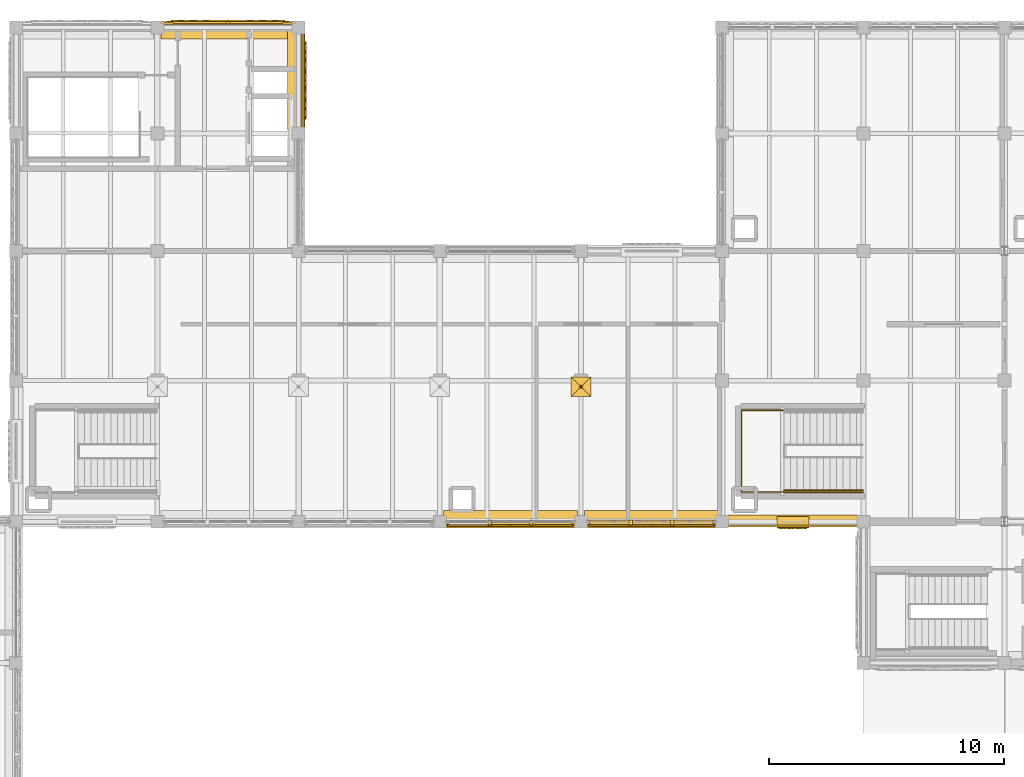
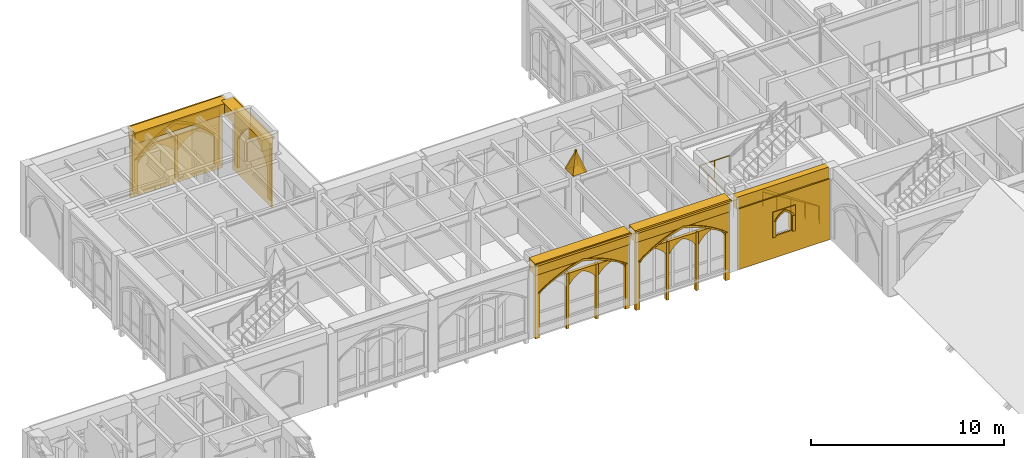
# One storey, part 92 of 108: 38 coverings, 3 railings.
"""IFC4 building model written with IfcOpenShell, lengths in metres."""

from ifc_helpers import new_model, si_unit, direction, frame, origin, origin_2d, place, context, subcontext, project, spatial, polyline, rectangle, circle, outline, extrude, material, type_object, element, save


model = new_model("IFC4")

# Units and contexts
model_context = context("Model", 3, precision=1e-05, world=origin(), true_north=direction((0.0, 1.0)))
body_context = subcontext(model_context, "Body", "Model", "MODEL_VIEW")
ifc_project = project(units=[si_unit("LENGTHUNIT", "METRE"), si_unit("AREAUNIT", "SQUARE_METRE"), si_unit("VOLUMEUNIT", "CUBIC_METRE"), si_unit("PLANEANGLEUNIT", "RADIAN"), si_unit("MASSUNIT", "GRAM", prefix="KILO")], contexts=[model_context])

# Site, building, storey
site_placement = place(None, origin())
site = spatial("IfcSite", under=ifc_project, at=site_placement, CompositionType="ELEMENT")
building_placement = place(site_placement, origin())
building = spatial("IfcBuilding", under=site, at=building_placement, Name="Cumevento Cable Car Station", CompositionType="ELEMENT")
storey_placement = place(building_placement, frame((0.0, 0.0, 13.5)))
storey = spatial("IfcBuildingStorey", under=building, at=storey_placement, Name="L04", CompositionType="ELEMENT", Elevation=13.5)

# Railings
ifc_material_1 = material(Name="Painted Galvanised Architectural Steel", Category="steel")
railing_type_1 = type_object("IfcRailingType", Name="Stair Guardrail GR-S115", PredefinedType="GUARDRAIL", material=ifc_material_1)
railing_1_placement = place(storey_placement, frame((54.6201171875, 46.260009765625, 2.25)))
element("IfcRailing", 1, at=railing_1_placement, inside=storey, type_object=railing_type_1, Name="Stair Half-Landing Guardrail ST-13", PredefinedType="GUARDRAIL", context=body_context, shape_type="SweptSolid", body=[
    extrude(circle(Radius=0.02392578125, at=origin_2d()), frame((0.0, 0.0, 1.1259765625), z_axis=(-1.0, 0.0, 0.0), x_axis=(0.0, -1.0, 0.0)), (0.0, 0.0, 1.0), 1.800048828125),
    extrude(circle(Radius=0.02392578125, at=origin_2d()), frame((-1.800048828125, 0.0, 1.1259765625), z_axis=(0.0, 1.0, 0.0), x_axis=(-1.0, 0.0, 0.0)), (0.0, 0.0, 1.0), 3.47998046875),
    extrude(circle(Radius=0.02392578125, at=origin_2d()), frame((-1.800048828125, 3.47998046875, 1.1259765625), z_axis=(1.0, 0.0, 0.0), x_axis=(0.0, 1.0, 0.0)), (0.0, 0.0, 1.0), 1.800048828125),
    extrude(circle(Radius=0.02001953125, at=origin_2d()), origin(), (0.0, 0.0, 1.0), 1.101806640625),
    extrude(circle(Radius=0.02001953125, at=origin_2d()), frame((-0.89990234375, 0.0, 0.0)), (0.0, 0.0, 1.0), 1.101806640625),
    extrude(circle(Radius=0.02001953125, at=origin_2d()), frame((-1.800048828125, 0.0, 0.0)), (0.0, 0.0, 1.0), 1.101806640625),
    extrude(circle(Radius=0.02001953125, at=origin_2d()), frame((-1.800048828125, 0.8701171875, 0.0)), (0.0, 0.0, 1.0), 1.101806640625),
    extrude(circle(Radius=0.02001953125, at=origin_2d()), frame((-1.800048828125, 1.739990234375, 0.0)), (0.0, 0.0, 1.0), 1.101806640625),
    extrude(circle(Radius=0.02001953125, at=origin_2d()), frame((-1.800048828125, 2.60986328125, 0.0)), (0.0, 0.0, 1.0), 1.101806640625),
    extrude(circle(Radius=0.02001953125, at=origin_2d()), frame((-1.800048828125, 3.47998046875, 0.0)), (0.0, 0.0, 1.0), 1.101806640625),
    extrude(circle(Radius=0.02001953125, at=origin_2d()), frame((-0.89990234375, 3.47998046875, 0.0)), (0.0, 0.0, 1.0), 1.101806640625),
    extrude(circle(Radius=0.02001953125, at=origin_2d()), frame((0.0, 3.47998046875, 0.0)), (0.0, 0.0, 1.0), 1.101806640625),
])
railing_2_placement = place(storey_placement, frame((57.97998046875, 46.260009765625, 0.0)))
element("IfcRailing", 2, at=railing_2_placement, inside=storey, type_object=railing_type_1, Name="Stair Outer Guardrail ST-13 F1", PredefinedType="GUARDRAIL", context=body_context, shape_type="SweptSolid", body=[
    extrude(circle(Radius=0.02392578125, at=origin_2d()), frame((0.0, 0.0, 1.1259765625), z_axis=(-0.830896709279, 0.0, 0.556426687452), x_axis=(0.0, -1.0, 0.0)), (0.0, 0.0, 1.0), 4.043701171875),
    extrude(circle(Radius=0.02001953125, at=origin_2d()), origin(), (0.0, 0.0, 1.0), 1.101806640625),
    extrude(circle(Radius=0.02001953125, at=origin_2d()), frame((-0.83984375, 0.0, 0.5625)), (0.0, 0.0, 1.0), 1.101806640625),
    extrude(circle(Radius=0.02001953125, at=origin_2d()), frame((-1.679931640625, 0.0, 1.125)), (0.0, 0.0, 1.0), 1.101806640625),
    extrude(circle(Radius=0.02001953125, at=origin_2d()), frame((-2.52001953125, 0.0, 1.6875)), (0.0, 0.0, 1.0), 1.101806640625),
    extrude(circle(Radius=0.02001953125, at=origin_2d()), frame((-3.35986328125, 0.0, 2.25)), (0.0, 0.0, 1.0), 1.101806640625),
])
ifc_material_2 = material(Name="Brushed Stainless Steel Handrail Tube", Category="steel")
railing_type_2 = type_object("IfcRailingType", Name="Stair Handrail HR-090", PredefinedType="HANDRAIL", material=ifc_material_2)
railing_3_placement = place(storey_placement, frame((57.97998046875, 46.340087890625, 0.17626953125)))
element("IfcRailing", 3, at=railing_3_placement, inside=storey, type_object=railing_type_2, Name="Stair Pitch Handrail ST-13 F1", PredefinedType="HANDRAIL", context=body_context, shape_type="SweptSolid", body=[
    extrude(circle(Radius=0.02099609375, at=origin_2d()), frame((0.0, 0.0, 0.87890625), z_axis=(-0.850606129759, 0.0, 0.525803396734), x_axis=(0.0, -1.0, 0.0)), (0.0, 0.0, 1.0), 3.949951171875),
    extrude(circle(Radius=0.01611328125, at=origin_2d()), origin(), (0.0, 0.0, 1.0), 0.85791015625),
    extrude(circle(Radius=0.01611328125, at=origin_2d()), frame((-0.83984375, 0.0, 0.519287109375)), (0.0, 0.0, 1.0), 0.85791015625),
    extrude(circle(Radius=0.01611328125, at=origin_2d()), frame((-1.679931640625, 0.0, 1.03857421875)), (0.0, 0.0, 1.0), 0.85791015625),
    extrude(circle(Radius=0.01611328125, at=origin_2d()), frame((-2.52001953125, 0.0, 1.5576171875)), (0.0, 0.0, 1.0), 0.85791015625),
    extrude(circle(Radius=0.01611328125, at=origin_2d()), frame((-3.35986328125, 0.0, 2.076904296875)), (0.0, 0.0, 1.0), 0.85791015625),
])

# Coverings
ifc_material_3 = material(Name="Gnaisse Facoidal Stone Ashlar 85 MPa", Category="masonry")
covering_type = type_object("IfcCoveringType", Name="Gnaisse Ashlar Cladding CV-CL01", PredefinedType="CLADDING", material=ifc_material_3)
for number, where, z_axis, x_axis, name in (
    (4, (45.580078125, 51.159912109375, 4.8701171875), (0.0, 0.951573760476, 0.30742052367), (1.0, 0.0, 0.0), "Gothic Buttress Pinnacle Spire Facet 1 bt:46.0:51.0"),
    (5, (46.419921875, 51.159912109375, 4.8701171875), (0.951573760476, 0.0, 0.30742052367), (0.0, -1.0, 0.0), "Gothic Buttress Pinnacle Spire Facet 2 bt:46.0:51.0"),
    (6, (46.419921875, 50.320068359375, 4.8701171875), (0.0, -0.951573760476, 0.30742052367), (-1.0, 0.0, 0.0), "Gothic Buttress Pinnacle Spire Facet 3 bt:46.0:51.0"),
    (7, (45.580078125, 50.320068359375, 4.8701171875), (-0.951573760476, 0.0, 0.30742052367), (0.0, 1.0, 0.0), "Gothic Buttress Pinnacle Spire Facet 4 bt:46.0:51.0"),
):
    element("IfcCovering", number, at=place(storey_placement, frame(where, z_axis=z_axis, x_axis=x_axis)), inside=storey, type_object=covering_type, Name=name, PredefinedType="CLADDING", context=body_context, shape_type="SweptSolid", body=[
        extrude(outline(polyline([(0.0, 0.0), (0.83984375, 0.0), (0.419921875, -1.3659526370817139), (0.0, 0.0)])), origin(), (0.0, 0.0, -1.0), 0.0849609375),
    ])
covering_1_placement = place(storey_placement, frame((43.0, 45.14990234375, 3.821044921875), z_axis=(0.0, 0.0, 1.0), x_axis=(-1.0, 0.0, 0.0)))
element("IfcCovering", 8, at=covering_1_placement, inside=storey, type_object=covering_type, Name="Gothic Stone Spandrel Stringcourse sc:0719", PredefinedType="CLADDING", context=body_context, shape_type="SweptSolid", body=[
    extrude(rectangle(XDim=5.68994140625, YDim=0.659912109375, at=origin_2d()), origin(), (0.0, 0.0, 1.0), 0.7470703125),
])
covering_2_placement = place(storey_placement, frame((43.0, 44.79248046875, 4.43798828125), z_axis=(0.0, 0.0, 1.0), x_axis=(-1.0, 0.0, 0.0)))
element("IfcCovering", 9, at=covering_2_placement, inside=storey, type_object=covering_type, Name="Gothic Cornice Dripstone Lip sc:0719", PredefinedType="CLADDING", context=body_context, shape_type="SweptSolid", body=[
    extrude(rectangle(XDim=5.72998046875, YDim=0.114990234375, at=origin_2d()), origin(), (0.0, 0.0, 1.0), 0.1298828125),
])
covering_3_placement = place(storey_placement, frame((49.0, 45.14990234375, 3.796875), z_axis=(0.0, 0.0, 1.0), x_axis=(-1.0, 0.0, 0.0)))
element("IfcCovering", 10, at=covering_3_placement, inside=storey, type_object=covering_type, Name="Gothic Stone Spandrel Stringcourse sc:0720", PredefinedType="CLADDING", context=body_context, shape_type="SweptSolid", body=[
    extrude(rectangle(XDim=5.68994140625, YDim=0.659912109375, at=origin_2d()), origin(), (0.0, 0.0, 1.0), 0.7470703125),
])
covering_4_placement = place(storey_placement, frame((49.0, 44.79248046875, 4.4140625), z_axis=(0.0, 0.0, 1.0), x_axis=(-1.0, 0.0, 0.0)))
element("IfcCovering", 11, at=covering_4_placement, inside=storey, type_object=covering_type, Name="Gothic Cornice Dripstone Lip sc:0720", PredefinedType="CLADDING", context=body_context, shape_type="SweptSolid", body=[
    extrude(rectangle(XDim=5.72998046875, YDim=0.114990234375, at=origin_2d()), origin(), (0.0, 0.0, 1.0), 0.1298828125),
])
covering_5_placement = place(storey_placement, frame((31.0, 65.85009765625, 3.783203125), z_axis=(0.0, 0.0, 1.0), x_axis=(1.0, 0.0, 0.0)))
element("IfcCovering", 12, at=covering_5_placement, inside=storey, type_object=covering_type, Name="Gothic Stone Spandrel Stringcourse sc:0727", PredefinedType="CLADDING", context=body_context, shape_type="SweptSolid", body=[
    extrude(rectangle(XDim=5.68994140625, YDim=0.659912109375, at=origin_2d()), origin(), (0.0, 0.0, 1.0), 0.697021484375),
])
covering_6_placement = place(storey_placement, frame((31.0, 66.20751953125, 4.35009765625), z_axis=(0.0, 0.0, 1.0), x_axis=(1.0, 0.0, 0.0)))
element("IfcCovering", 13, at=covering_6_placement, inside=storey, type_object=covering_type, Name="Gothic Cornice Dripstone Lip sc:0727", PredefinedType="CLADDING", context=body_context, shape_type="SweptSolid", body=[
    extrude(rectangle(XDim=5.72998046875, YDim=0.114990234375, at=origin_2d()), origin(), (0.0, 0.0, 1.0), 0.1298828125),
])
covering_7_placement = place(storey_placement, frame((33.85009765625, 63.75, 3.783203125), z_axis=(0.0, 0.0, 1.0), x_axis=(0.0, -1.0, 0.0)))
element("IfcCovering", 14, at=covering_7_placement, inside=storey, type_object=covering_type, Name="Gothic Stone Spandrel Stringcourse sc:0731", PredefinedType="CLADDING", context=body_context, shape_type="SweptSolid", body=[
    extrude(rectangle(XDim=4.18994140625, YDim=0.659912109375, at=origin_2d()), origin(), (0.0, 0.0, 1.0), 0.697021484375),
])
covering_8_placement = place(storey_placement, frame((34.20751953125, 63.75, 4.35009765625), z_axis=(0.0, 0.0, 1.0), x_axis=(0.0, -1.0, 0.0)))
element("IfcCovering", 15, at=covering_8_placement, inside=storey, type_object=covering_type, Name="Gothic Cornice Dripstone Lip sc:0731", PredefinedType="CLADDING", context=body_context, shape_type="SweptSolid", body=[
    extrude(rectangle(XDim=4.22998046875, YDim=0.114990234375, at=origin_2d()), origin(), (0.0, 0.0, 1.0), 0.1298828125),
])
covering_9_placement = place(storey_placement, frame((55.0, 45.090087890625, 3.737060546875), z_axis=(0.0, 0.0, 1.0), x_axis=(-1.0, 0.0, 0.0)))
element("IfcCovering", 16, at=covering_9_placement, inside=storey, type_object=covering_type, Name="Gothic Stone Spandrel Stringcourse sc:0732", PredefinedType="CLADDING", context=body_context, shape_type="SweptSolid", body=[
    extrude(rectangle(XDim=5.510009765625, YDim=0.3798828125, at=origin_2d()), origin(), (0.0, 0.0, 1.0), 0.7470703125),
])
placement_1 = place(storey_placement, frame((45.72509765625, 45.0, -0.219970703125), z_axis=(0.0, 0.0, 1.0), x_axis=(-1.0, 0.0, 0.0)))
element("IfcCovering", 17, at=placement_1, inside=storey, type_object=covering_type, Name="Gothic Ogival Pointed-Arch Stone Spandrel cw_ogival:0158", PredefinedType="CLADDING", context=body_context, shape_type="SweptSolid", body=[
    extrude(outline(polyline([(-0.080078125, 0.0), (-0.080078125, 4.180908203125), (5.530029296875, 4.180908203125), (5.530029296875, 0.0), (5.2900390625, 0.0), (5.2900390625, 2.869384765625), (4.99462890625, 3.06005859375), (4.69091796875, 3.23681640625), (4.37890625, 3.39892578125), (4.059814453125, 3.546142578125), (3.734130859375, 3.67822265625), (3.402587890625, 3.794921875), (3.06591796875, 3.89599609375), (2.72509765625, 3.98095703125), (2.384033203125, 3.89599609375), (2.04736328125, 3.794921875), (1.7158203125, 3.67822265625), (1.39013671875, 3.546142578125), (1.071044921875, 3.39892578125), (0.759033203125, 3.23681640625), (0.455322265625, 3.06005859375), (0.159912109375, 2.869384765625), (0.159912109375, 0.0), (-0.080078125, 0.0)])), frame((0.0, 0.139892578125, 0.0), z_axis=(0.0, -1.0, 0.0), x_axis=(1.0, 0.0, 0.0)), (0.0, 0.0, 1.0), 0.219970703125),
])
covering_11_placement = place(storey_placement, frame((45.72509765625, 45.0, 2.6494140625), z_axis=(0.0, 0.0, 1.0), x_axis=(-1.0, 0.0, 0.0)))
element("IfcCovering", 18, at=covering_11_placement, inside=storey, type_object=covering_type, Name="Gothic Pointed Archivolt Hood Moulding cw_ogival:0158", PredefinedType="CLADDING", context=body_context, shape_type="SweptSolid", body=[
    extrude(outline(polyline([(0.159912109375, 0.0), (0.455322265625, 0.190673828125), (0.759033203125, 0.367431640625), (1.071044921875, 0.529541015625), (1.39013671875, 0.6767578125), (1.7158203125, 0.808837890625), (2.04736328125, 0.925537109375), (2.384033203125, 1.026611328125), (2.72509765625, 1.111572265625), (3.06591796875, 1.026611328125), (3.402587890625, 0.925537109375), (3.734130859375, 0.808837890625), (4.059814453125, 0.6767578125), (4.37890625, 0.529541015625), (4.69091796875, 0.367431640625), (4.99462890625, 0.190673828125), (5.2900390625, 0.0), (5.39990234375, 0.0), (5.095947265625, 0.213623046875), (4.78173828125, 0.41162109375), (4.4580078125, 0.59375), (4.12548828125, 0.75927734375), (3.784912109375, 0.907958984375), (3.4375, 1.03955078125), (3.083740234375, 1.1533203125), (2.72509765625, 1.2490234375), (2.3662109375, 1.1533203125), (2.012451171875, 1.03955078125), (1.6650390625, 0.907958984375), (1.324462890625, 0.75927734375), (0.991943359375, 0.59375), (0.668212890625, 0.41162109375), (0.35400390625, 0.213623046875), (0.050048828125, 0.0), (0.159912109375, 0.0)])), frame((0.0, 0.181884765625, 0.0), z_axis=(0.0, -1.0, 0.0), x_axis=(1.0, 0.0, 0.0)), (0.0, 0.0, 1.0), 0.06689453125),
])
element("IfcCovering", 19, at=placement_1, inside=storey, type_object=covering_type, Name="Gothic Bifora Stone Colonnette cw_ogival:0158 #1", PredefinedType="CLADDING", context=body_context, shape_type="SweptSolid", body=[
    extrude(outline(polyline([(1.77001953125, -0.02001953125), (1.919921875, -0.02001953125), (1.919921875, 3.447509765625), (1.77001953125, 3.447509765625), (1.77001953125, -0.02001953125)])), frame((0.0, 0.1279296875, 0.0), z_axis=(0.0, -1.0, 0.0), x_axis=(1.0, 0.0, 0.0)), (0.0, 0.0, 1.0), 0.205078125),
])
element("IfcCovering", 20, at=placement_1, inside=storey, type_object=covering_type, Name="Gothic Bifora Stone Colonnette cw_ogival:0158 #2", PredefinedType="CLADDING", context=body_context, shape_type="SweptSolid", body=[
    extrude(outline(polyline([(3.530029296875, -0.02001953125), (3.679931640625, -0.02001953125), (3.679931640625, 3.447509765625), (3.530029296875, 3.447509765625), (3.530029296875, -0.02001953125)])), frame((0.0, 0.1279296875, 0.0), z_axis=(0.0, -1.0, 0.0), x_axis=(1.0, 0.0, 0.0)), (0.0, 0.0, 1.0), 0.205078125),
])
for number, where, z_axis, x_axis, name in (
    (21, (45.594970703125, 45.0, 2.469482421875), (0.0, 0.0, 1.0), (-1.0, 0.0, 0.0), "Gothic Ogival Pointed-Arch Stone Spandrel cw_ogival:0158:sub:0"),
    (22, (43.8349609375, 45.0, 2.469482421875), (0.0, 0.0, 1.0), (-1.0, 0.0, 0.0), "Gothic Ogival Pointed-Arch Stone Spandrel cw_ogival:0158:sub:1"),
):
    element("IfcCovering", number, at=place(storey_placement, frame(where, z_axis=z_axis, x_axis=x_axis)), inside=storey, type_object=covering_type, Name=name, PredefinedType="CLADDING", context=body_context, shape_type="SweptSolid", body=[
        extrude(outline(polyline([(-0.02001953125, 0.0), (-0.02001953125, 0.758056640625), (1.68994140625, 0.758056640625), (1.68994140625, 0.0), (1.6298828125, 0.0), (1.527587890625, 0.138916015625), (1.411376953125, 0.2666015625), (1.282470703125, 0.38134765625), (1.142333984375, 0.482177734375), (0.99267578125, 0.568115234375), (0.8349609375, 0.637939453125), (0.67724609375, 0.568115234375), (0.527587890625, 0.482177734375), (0.387451171875, 0.38134765625), (0.258544921875, 0.2666015625), (0.142333984375, 0.138916015625), (0.0400390625, 0.0), (-0.02001953125, 0.0)])), frame((0.0, 0.1240234375, 0.0), z_axis=(0.0, -1.0, 0.0), x_axis=(1.0, 0.0, 0.0)), (0.0, 0.0, 1.0), 0.199951171875),
    ])
placement_2 = place(storey_placement, frame((51.72509765625, 45.0, -0.52001953125), z_axis=(0.0, 0.0, 1.0), x_axis=(-1.0, 0.0, 0.0)))
element("IfcCovering", 23, at=placement_2, inside=storey, type_object=covering_type, Name="Gothic Ogival Pointed-Arch Stone Spandrel cw_ogival:0160", PredefinedType="CLADDING", context=body_context, shape_type="SweptSolid", body=[
    extrude(outline(polyline([(-0.080078125, 0.0), (-0.080078125, 4.45703125), (5.530029296875, 4.45703125), (5.530029296875, 0.0), (5.2900390625, 0.0), (5.2900390625, 3.046142578125), (4.9990234375, 3.253173828125), (4.6982421875, 3.445068359375), (4.387939453125, 3.62158203125), (4.069091796875, 3.7822265625), (3.742431640625, 3.92626953125), (3.4091796875, 4.0537109375), (3.069580078125, 4.1640625), (2.72509765625, 4.257080078125), (2.38037109375, 4.1640625), (2.040771484375, 4.0537109375), (1.70751953125, 3.92626953125), (1.380859375, 3.7822265625), (1.06201171875, 3.62158203125), (0.751708984375, 3.445068359375), (0.450927734375, 3.253173828125), (0.159912109375, 3.046142578125), (0.159912109375, 0.0), (-0.080078125, 0.0)])), frame((0.0, 0.139892578125, 0.0), z_axis=(0.0, -1.0, 0.0), x_axis=(1.0, 0.0, 0.0)), (0.0, 0.0, 1.0), 0.219970703125),
])
covering_15_placement = place(storey_placement, frame((51.72509765625, 45.0, 2.526123046875), z_axis=(0.0, 0.0, 1.0), x_axis=(-1.0, 0.0, 0.0)))
element("IfcCovering", 24, at=covering_15_placement, inside=storey, type_object=covering_type, Name="Gothic Pointed Archivolt Hood Moulding cw_ogival:0160", PredefinedType="CLADDING", context=body_context, shape_type="SweptSolid", body=[
    extrude(outline(polyline([(0.159912109375, 0.0), (0.450927734375, 0.20703125), (0.751708984375, 0.39892578125), (1.06201171875, 0.575439453125), (1.380859375, 0.736083984375), (1.70751953125, 0.880126953125), (2.040771484375, 1.007568359375), (2.38037109375, 1.117919921875), (2.72509765625, 1.2109375), (3.069580078125, 1.117919921875), (3.4091796875, 1.007568359375), (3.742431640625, 0.880126953125), (4.069091796875, 0.736083984375), (4.387939453125, 0.575439453125), (4.6982421875, 0.39892578125), (4.9990234375, 0.20703125), (5.2900390625, 0.0), (5.39990234375, 0.0), (5.1005859375, 0.229736328125), (4.78955078125, 0.443115234375), (4.46728515625, 0.6396484375), (4.135009765625, 0.818359375), (3.793701171875, 0.97900390625), (3.4443359375, 1.121337890625), (3.087646484375, 1.244384765625), (2.72509765625, 1.348388671875), (2.3623046875, 1.244384765625), (2.005615234375, 1.121337890625), (1.65625, 0.97900390625), (1.31494140625, 0.818359375), (0.982666015625, 0.6396484375), (0.660400390625, 0.443115234375), (0.349365234375, 0.229736328125), (0.050048828125, 0.0), (0.159912109375, 0.0)])), frame((0.0, 0.181884765625, 0.0), z_axis=(0.0, -1.0, 0.0), x_axis=(1.0, 0.0, 0.0)), (0.0, 0.0, 1.0), 0.06689453125),
])
element("IfcCovering", 25, at=placement_2, inside=storey, type_object=covering_type, Name="Gothic Bifora Stone Colonnette cw_ogival:0160 #1", PredefinedType="CLADDING", context=body_context, shape_type="SweptSolid", body=[
    extrude(outline(polyline([(1.77001953125, -0.02001953125), (1.919921875, -0.02001953125), (1.919921875, 3.67578125), (1.77001953125, 3.67578125), (1.77001953125, -0.02001953125)])), frame((0.0, 0.1279296875, 0.0), z_axis=(0.0, -1.0, 0.0), x_axis=(1.0, 0.0, 0.0)), (0.0, 0.0, 1.0), 0.205078125),
])
element("IfcCovering", 26, at=placement_2, inside=storey, type_object=covering_type, Name="Gothic Bifora Stone Colonnette cw_ogival:0160 #2", PredefinedType="CLADDING", context=body_context, shape_type="SweptSolid", body=[
    extrude(outline(polyline([(3.530029296875, -0.02001953125), (3.679931640625, -0.02001953125), (3.679931640625, 3.67578125), (3.530029296875, 3.67578125), (3.530029296875, -0.02001953125)])), frame((0.0, 0.1279296875, 0.0), z_axis=(0.0, -1.0, 0.0), x_axis=(1.0, 0.0, 0.0)), (0.0, 0.0, 1.0), 0.205078125),
])
for number, where, z_axis, x_axis, name in (
    (27, (51.594970703125, 45.0, 2.34619140625), (0.0, 0.0, 1.0), (-1.0, 0.0, 0.0), "Gothic Ogival Pointed-Arch Stone Spandrel cw_ogival:0160:sub:0"),
    (28, (49.8349609375, 45.0, 2.34619140625), (0.0, 0.0, 1.0), (-1.0, 0.0, 0.0), "Gothic Ogival Pointed-Arch Stone Spandrel cw_ogival:0160:sub:1"),
    (29, (48.074951171875, 45.0, 2.34619140625), (0.0, 0.0, 1.0), (-1.0, 0.0, 0.0), "Gothic Ogival Pointed-Arch Stone Spandrel cw_ogival:0160:sub:2"),
):
    element("IfcCovering", number, at=place(storey_placement, frame(where, z_axis=z_axis, x_axis=x_axis)), inside=storey, type_object=covering_type, Name=name, PredefinedType="CLADDING", context=body_context, shape_type="SweptSolid", body=[
        extrude(outline(polyline([(-0.02001953125, 0.0), (-0.02001953125, 0.809814453125), (1.68994140625, 0.809814453125), (1.68994140625, 0.0), (1.6298828125, 0.0), (1.53173828125, 0.149169921875), (1.41796875, 0.28662109375), (1.28955078125, 0.410888671875), (1.148681640625, 0.520263671875), (0.996337890625, 0.613525390625), (0.8349609375, 0.689697265625), (0.673583984375, 0.613525390625), (0.521240234375, 0.520263671875), (0.38037109375, 0.410888671875), (0.251953125, 0.28662109375), (0.13818359375, 0.149169921875), (0.0400390625, 0.0), (-0.02001953125, 0.0)])), frame((0.0, 0.1240234375, 0.0), z_axis=(0.0, -1.0, 0.0), x_axis=(1.0, 0.0, 0.0)), (0.0, 0.0, 1.0), 0.199951171875),
    ])
covering_18_placement = place(storey_placement, frame((28.27490234375, 66.0, 0.0), z_axis=(0.0, 0.0, 1.0), x_axis=(1.0, 0.0, 0.0)))
element("IfcCovering", 30, at=covering_18_placement, inside=storey, type_object=covering_type, Name="Exterior Gnaisse Stone Wall Ashlar #274", PredefinedType="CLADDING", context=body_context, shape_type="SweptSolid", body=[
    extrude(outline(polyline([(-0.0400390625, -0.02001953125), (5.489990234375, -0.02001953125), (5.489990234375, 3.863037109375), (-0.0400390625, 3.863037109375), (-0.0400390625, -0.02001953125)])), frame((0.0, 0.222412109375, 0.0), z_axis=(0.0, -1.0, 0.0), x_axis=(1.0, 0.0, 0.0)), (0.0, 0.0, 1.0), 0.0849609375),
])
placement_3 = place(storey_placement, frame((28.455078125, 66.0, 0.300048828125), z_axis=(0.0, 0.0, 1.0), x_axis=(1.0, 0.0, 0.0)))
element("IfcCovering", 31, at=placement_3, inside=storey, type_object=covering_type, Name="Gothic Ogival Pointed-Arch Stone Spandrel blind_ogival:0274", PredefinedType="CLADDING", context=body_context, shape_type="SweptSolid", body=[
    extrude(outline(polyline([(-0.050048828125, 0.0), (-0.050048828125, 3.5830078125), (5.139892578125, 3.5830078125), (5.139892578125, 0.0), (4.830078125, 0.0), (4.830078125, 1.85205078125), (4.558349609375, 2.14013671875), (4.265380859375, 2.406494140625), (3.952880859375, 2.649658203125), (3.62255859375, 2.867919921875), (3.2763671875, 3.060302734375), (2.91650390625, 3.225830078125), (2.544921875, 3.363037109375), (2.173583984375, 3.225830078125), (1.813720703125, 3.060302734375), (1.467529296875, 2.867919921875), (1.13720703125, 2.649658203125), (0.82470703125, 2.406494140625), (0.53173828125, 2.14013671875), (0.260009765625, 1.85205078125), (0.260009765625, 0.0), (-0.050048828125, 0.0)])), frame((0.0, 0.277587890625, 0.0), z_axis=(0.0, -1.0, 0.0), x_axis=(1.0, 0.0, 0.0)), (0.0, 0.0, 1.0), 0.110107421875),
])
covering_20_placement = place(storey_placement, frame((28.455078125, 66.0, 2.152099609375), z_axis=(0.0, 0.0, 1.0), x_axis=(1.0, 0.0, 0.0)))
element("IfcCovering", 32, at=covering_20_placement, inside=storey, type_object=covering_type, Name="Gothic Pointed Archivolt Hood Moulding blind_ogival:0274", PredefinedType="CLADDING", context=body_context, shape_type="SweptSolid", body=[
    extrude(outline(polyline([(0.260009765625, 0.0), (0.53173828125, 0.2880859375), (0.82470703125, 0.554443359375), (1.13720703125, 0.797607421875), (1.467529296875, 1.015869140625), (1.813720703125, 1.208251953125), (2.173583984375, 1.373779296875), (2.544921875, 1.510986328125), (2.91650390625, 1.373779296875), (3.2763671875, 1.208251953125), (3.62255859375, 1.015869140625), (3.952880859375, 0.797607421875), (4.265380859375, 0.554443359375), (4.558349609375, 0.2880859375), (4.830078125, 0.0), (4.950927734375, 0.0), (4.669677734375, 0.31591796875), (4.364013671875, 0.6083984375), (4.0361328125, 0.875732421875), (3.68798828125, 1.1162109375), (3.32177734375, 1.328369140625), (2.940185546875, 1.5107421875), (2.544921875, 1.662109375), (2.14990234375, 1.5107421875), (1.768310546875, 1.328369140625), (1.402099609375, 1.1162109375), (1.053955078125, 0.875732421875), (0.72607421875, 0.6083984375), (0.42041015625, 0.31591796875), (0.138916015625, 0.0), (0.260009765625, 0.0)])), frame((0.0, 0.319580078125, 0.0), z_axis=(0.0, -1.0, 0.0), x_axis=(1.0, 0.0, 0.0)), (0.0, 0.0, 1.0), 0.06689453125),
])
element("IfcCovering", 33, at=placement_3, inside=storey, type_object=covering_type, Name="Gothic Bifora Stone Colonnette blind_ogival:0274 #1", PredefinedType="CLADDING", context=body_context, shape_type="SweptSolid", body=[
    extrude(outline(polyline([(2.469970703125, -0.02001953125), (2.6201171875, -0.02001953125), (2.6201171875, 2.6376953125), (2.469970703125, 2.6376953125), (2.469970703125, -0.02001953125)])), frame((0.0, 0.265380859375, 0.0), z_axis=(0.0, -1.0, 0.0), x_axis=(1.0, 0.0, 0.0)), (0.0, 0.0, 1.0), 0.094970703125),
])
for number, where, z_axis, x_axis, name in (
    (34, (28.68505859375, 66.0, 1.97216796875), (0.0, 0.0, 1.0), (1.0, 0.0, 0.0), "Gothic Ogival Pointed-Arch Stone Spandrel blind_ogival:0274:sub:0"),
    (35, (31.044921875, 66.0, 1.97216796875), (0.0, 0.0, 1.0), (1.0, 0.0, 0.0), "Gothic Ogival Pointed-Arch Stone Spandrel blind_ogival:0274:sub:1"),
):
    element("IfcCovering", number, at=place(storey_placement, frame(where, z_axis=z_axis, x_axis=x_axis)), inside=storey, type_object=covering_type, Name=name, PredefinedType="CLADDING", context=body_context, shape_type="SweptSolid", body=[
        extrude(outline(polyline([(-0.02001953125, 0.0), (-0.02001953125, 0.9658203125), (2.2900390625, 0.9658203125), (2.2900390625, 0.0), (2.22998046875, 0.0), (2.08642578125, 0.184814453125), (1.9248046875, 0.35400390625), (1.7470703125, 0.50634765625), (1.5546875, 0.639892578125), (1.35009765625, 0.75341796875), (1.135009765625, 0.845703125), (0.919921875, 0.75341796875), (0.71533203125, 0.639892578125), (0.52294921875, 0.50634765625), (0.34521484375, 0.35400390625), (0.18359375, 0.184814453125), (0.0400390625, 0.0), (-0.02001953125, 0.0)])), frame((0.0, 0.261474609375, 0.0), z_axis=(0.0, -1.0, 0.0), x_axis=(1.0, 0.0, 0.0)), (0.0, 0.0, 1.0), 0.090087890625),
    ])
covering_22_placement = place(storey_placement, frame((34.0, 65.72509765625, 0.0), z_axis=(0.0, 0.0, 1.0), x_axis=(0.0, -1.0, 0.0)))
element("IfcCovering", 36, at=covering_22_placement, inside=storey, type_object=covering_type, Name="Exterior Gnaisse Stone Wall Ashlar #276", PredefinedType="CLADDING", context=body_context, shape_type="SweptSolid", body=[
    extrude(outline(polyline([(-0.0400390625, -0.02001953125), (3.989990234375, -0.02001953125), (3.989990234375, 3.863037109375), (-0.0400390625, 3.863037109375), (-0.0400390625, -0.02001953125)])), frame((0.0, 0.222412109375, 0.0), z_axis=(0.0, -1.0, 0.0), x_axis=(1.0, 0.0, 0.0)), (0.0, 0.0, 1.0), 0.0849609375),
])
covering_23_placement = place(storey_placement, frame((34.0, 65.544921875, 0.300048828125), z_axis=(0.0, 0.0, 1.0), x_axis=(0.0, -1.0, 0.0)))
element("IfcCovering", 37, at=covering_23_placement, inside=storey, type_object=covering_type, Name="Gothic Ogival Pointed-Arch Stone Spandrel blind_ogival:0276", PredefinedType="CLADDING", context=body_context, shape_type="SweptSolid", body=[
    extrude(outline(polyline([(-0.050048828125, 0.0), (-0.050048828125, 3.5830078125), (3.639892578125, 3.5830078125), (3.639892578125, 0.0), (3.330078125, 0.0), (3.330078125, 1.85205078125), (3.18310546875, 2.1298828125), (3.008544921875, 2.39111328125), (2.808349609375, 2.633056640625), (2.58447265625, 2.853515625), (2.339111328125, 3.050048828125), (2.0751953125, 3.220458984375), (1.794921875, 3.363037109375), (1.514892578125, 3.220458984375), (1.2509765625, 3.050048828125), (1.005615234375, 2.853515625), (0.78173828125, 2.633056640625), (0.58154296875, 2.39111328125), (0.406982421875, 2.1298828125), (0.260009765625, 1.85205078125), (0.260009765625, 0.0), (-0.050048828125, 0.0)])), frame((0.0, 0.277587890625, 0.0), z_axis=(0.0, -1.0, 0.0), x_axis=(1.0, 0.0, 0.0)), (0.0, 0.0, 1.0), 0.110107421875),
])
covering_24_placement = place(storey_placement, frame((34.0, 65.544921875, 2.152099609375), z_axis=(0.0, 0.0, 1.0), x_axis=(0.0, -1.0, 0.0)))
element("IfcCovering", 38, at=covering_24_placement, inside=storey, type_object=covering_type, Name="Gothic Pointed Archivolt Hood Moulding blind_ogival:0276", PredefinedType="CLADDING", context=body_context, shape_type="SweptSolid", body=[
    extrude(outline(polyline([(0.260009765625, 0.0), (0.406982421875, 0.27783203125), (0.58154296875, 0.5390625), (0.78173828125, 0.781005859375), (1.005615234375, 1.00146484375), (1.2509765625, 1.197998046875), (1.514892578125, 1.368408203125), (1.794921875, 1.510986328125), (2.0751953125, 1.368408203125), (2.339111328125, 1.197998046875), (2.58447265625, 1.00146484375), (2.808349609375, 0.781005859375), (3.008544921875, 0.5390625), (3.18310546875, 0.27783203125), (3.330078125, 0.0), (3.450927734375, 0.0), (3.294921875, 0.304931640625), (3.1083984375, 0.592041015625), (2.89306640625, 0.858154296875), (2.651123046875, 1.100830078125), (2.3857421875, 1.317138671875), (2.099365234375, 1.5048828125), (1.794921875, 1.662109375), (1.49072265625, 1.5048828125), (1.204345703125, 1.317138671875), (0.93896484375, 1.100830078125), (0.697021484375, 0.858154296875), (0.481689453125, 0.592041015625), (0.295166015625, 0.304931640625), (0.138916015625, 0.0), (0.260009765625, 0.0)])), frame((0.0, 0.319580078125, 0.0), z_axis=(0.0, -1.0, 0.0), x_axis=(1.0, 0.0, 0.0)), (0.0, 0.0, 1.0), 0.06689453125),
])
covering_25_placement = place(storey_placement, frame((57.72509765625, 45.0, 0.0), z_axis=(0.0, 0.0, 1.0), x_axis=(-1.0, 0.0, 0.0)))
element("IfcCovering", 39, at=covering_25_placement, inside=storey, type_object=covering_type, Name="Exterior Gnaisse Stone Wall Ashlar #277", PredefinedType="CLADDING", context=body_context, shape_type="SweptSolid", body=[
    extrude(outline(polyline([(-0.0400390625, -0.02001953125), (5.489990234375, -0.02001953125), (5.489990234375, 3.81689453125), (-0.0400390625, 3.81689453125), (-0.0400390625, -0.02001953125)]), holes=[polyline([(2.235107421875, 1.360107421875), (3.215087890625, 1.360107421875), (3.215087890625, 2.68994140625), (2.235107421875, 2.68994140625), (2.235107421875, 1.360107421875)])]), frame((0.0, 0.222412109375, 0.0), z_axis=(0.0, -1.0, 0.0), x_axis=(1.0, 0.0, 0.0)), (0.0, 0.0, 1.0), 0.0849609375),
])
covering_26_placement = place(storey_placement, frame((55.639892578125, 45.0, 1.300048828125), z_axis=(0.0, 0.0, 1.0), x_axis=(-1.0, 0.0, 0.0)))
element("IfcCovering", 40, at=covering_26_placement, inside=storey, type_object=covering_type, Name="Gothic Ogival Pointed-Arch Stone Spandrel op_ogival:0277:1", PredefinedType="CLADDING", context=body_context, shape_type="SweptSolid", body=[
    extrude(outline(polyline([(-0.0400390625, 0.0), (-0.0400390625, 1.6201171875), (1.320068359375, 1.6201171875), (1.320068359375, 0.0), (1.139892578125, 0.0), (1.139892578125, 1.02197265625), (1.086669921875, 1.10009765625), (1.026123046875, 1.173095703125), (0.95947265625, 1.240234375), (0.88671875, 1.30078125), (0.808837890625, 1.354736328125), (0.726318359375, 1.401123046875), (0.639892578125, 1.43994140625), (0.5537109375, 1.401123046875), (0.47119140625, 1.354736328125), (0.393310546875, 1.30078125), (0.320556640625, 1.240234375), (0.25390625, 1.173095703125), (0.193359375, 1.10009765625), (0.139892578125, 1.02197265625), (0.139892578125, 0.0), (-0.0400390625, 0.0)])), frame((0.0, 0.260498046875, 0.0), z_axis=(0.0, -1.0, 0.0), x_axis=(1.0, 0.0, 0.0)), (0.0, 0.0, 1.0), 0.47509765625),
])
covering_27_placement = place(storey_placement, frame((55.639892578125, 45.0, 2.322021484375), z_axis=(0.0, 0.0, 1.0), x_axis=(-1.0, 0.0, 0.0)))
element("IfcCovering", 41, at=covering_27_placement, inside=storey, type_object=covering_type, Name="Gothic Pointed Archivolt Hood Moulding op_ogival:0277:1", PredefinedType="CLADDING", context=body_context, shape_type="SweptSolid", body=[
    extrude(outline(polyline([(0.139892578125, 0.0), (0.193359375, 0.078125), (0.25390625, 0.151123046875), (0.320556640625, 0.21826171875), (0.393310546875, 0.27880859375), (0.47119140625, 0.332763671875), (0.5537109375, 0.379150390625), (0.639892578125, 0.41796875), (0.726318359375, 0.379150390625), (0.808837890625, 0.332763671875), (0.88671875, 0.27880859375), (0.95947265625, 0.21826171875), (1.026123046875, 0.151123046875), (1.086669921875, 0.078125), (1.139892578125, 0.0), (1.239013671875, 0.0), (1.177978515625, 0.1005859375), (1.107666015625, 0.194580078125), (1.0283203125, 0.281494140625), (0.941162109375, 0.3603515625), (0.846923828125, 0.430419921875), (0.74609375, 0.4912109375), (0.639892578125, 0.541748046875), (0.533935546875, 0.4912109375), (0.43310546875, 0.430419921875), (0.3388671875, 0.3603515625), (0.251708984375, 0.281494140625), (0.17236328125, 0.194580078125), (0.10205078125, 0.1005859375), (0.041015625, 0.0), (0.139892578125, 0.0)])), frame((0.0, 0.302490234375, 0.0), z_axis=(0.0, -1.0, 0.0), x_axis=(1.0, 0.0, 0.0)), (0.0, 0.0, 1.0), 0.06689453125),
])

save(model, "model.ifc")
